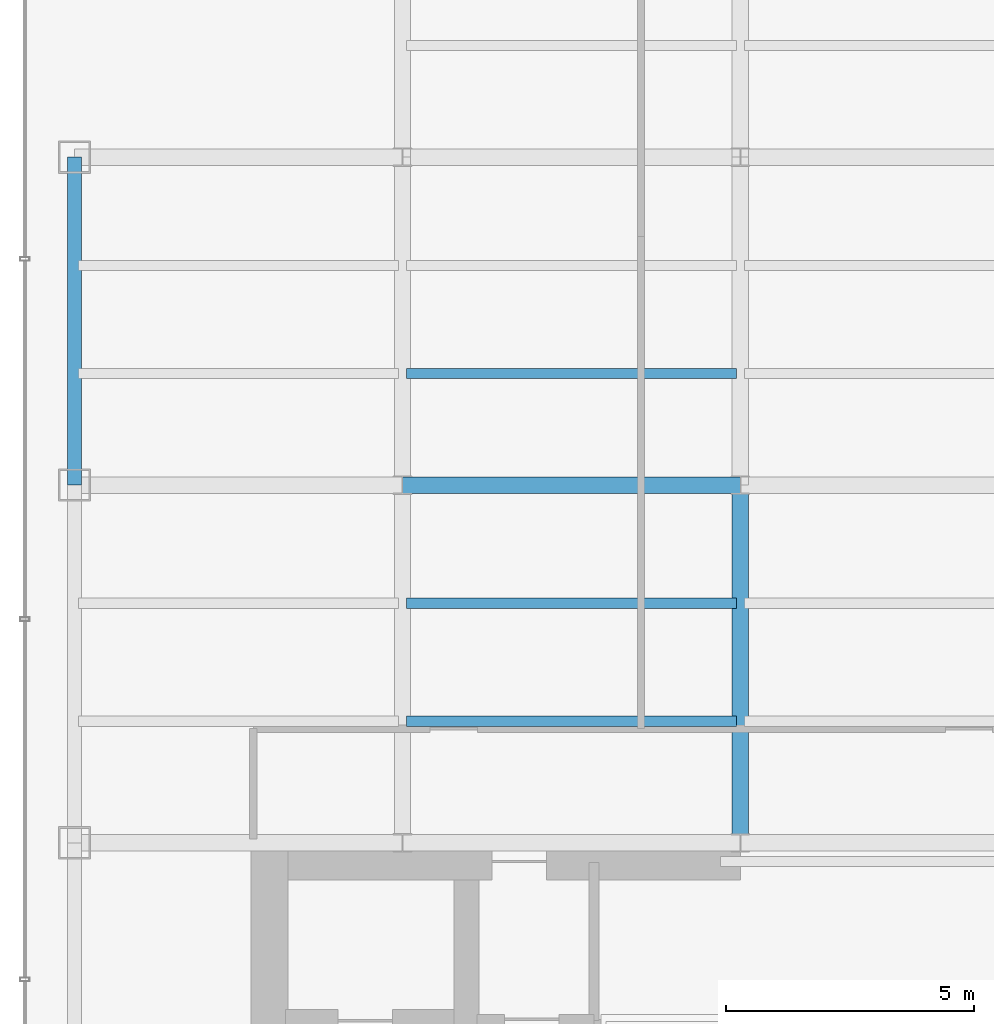
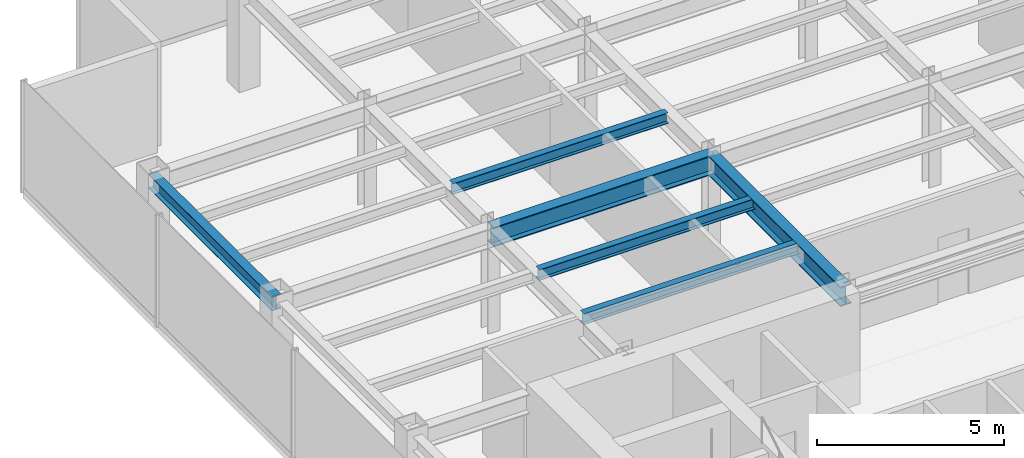
# One storey, part 6 of 25: 6 beams.
"""IFC4 building model written with IfcOpenShell, lengths in metres."""

from ifc_helpers import new_model, si_unit, derived_unit, direction, frame, origin, origin_2d, place, context, subcontext, project, spatial, i_section, extrude, source, transform, mapped, material, material_profile, profile_set, type_object, element, save


model = new_model("IFC4")

# Units and contexts
model_context = context("Model", 3, precision=1e-05, world=origin(), true_north=direction((0.0, 1.0)))
body_context = subcontext(model_context, "Body", "Model", "MODEL_VIEW")
ifc_project = project(units=[si_unit("LENGTHUNIT", "METRE"), si_unit("AREAUNIT", "SQUARE_METRE"), si_unit("VOLUMEUNIT", "CUBIC_METRE"), si_unit("PLANEANGLEUNIT", "RADIAN"), si_unit("MASSUNIT", "GRAM", prefix="KILO"), derived_unit("THERMALTRANSMITTANCEUNIT", [(si_unit("POWERUNIT", "WATT"), 1), (si_unit("LENGTHUNIT", "METRE"), -2), (si_unit("THERMODYNAMICTEMPERATUREUNIT", "KELVIN"), -1)])], contexts=[model_context])

# Site, building, storey
site_placement = place(None, origin())
site = spatial("IfcSite", under=ifc_project, at=site_placement, CompositionType="ELEMENT")
building_placement = place(site_placement, origin())
building = spatial("IfcBuilding", under=site, at=building_placement, Name="Skarnbrae Concourse Arena and Tower", CompositionType="ELEMENT")
storey_placement = place(building_placement, frame((0.0, 0.0, 151.550048828125)))
storey = spatial("IfcBuildingStorey", under=building, at=storey_placement, Name="L38", CompositionType="ELEMENT", Elevation=151.550048828125)

# Beams
ifc_material = material(Name="Steel CSA G40.21 350W", Category="steel")
ifc_material_profile_1 = material_profile(ifc_material, i_section(OverallWidth=0.3291015625, OverallDepth=0.635009765625, WebThickness=0.017822265625, FlangeThickness=0.031005859375, at=origin_2d()), Name="W610X241")
ifc_profile_set_1 = profile_set([ifc_material_profile_1], Name="Steel CSA G40.21 350W")
beam_type_1 = type_object("IfcBeamType", Name="BM-GIRD-W610X241", PredefinedType="BEAM", material=ifc_profile_set_1)
shared_shape_1 = source(origin(), body_context, "Body", "SweptSolid", [
    extrude(i_section(OverallWidth=0.3291015625, OverallDepth=0.635009765625, WebThickness=0.017822265625, FlangeThickness=0.031005859375, at=origin_2d()), origin(), (0.0, 0.0, 1.0), 6.7998046875),
])
beam_1_placement = place(storey_placement, frame((7.60009765625, 21.199951171875, 3.08251953125), z_axis=(1.0, 0.0, 0.0), x_axis=(0.0, 1.0, 0.0)))
element("IfcBeam", 1, at=beam_1_placement, inside=storey, type_object=beam_type_1, Name="L38 Primary E-W girder Y21.2-2", PredefinedType="BEAM", context=body_context, shape_type="MappedRepresentation", body=[
    mapped(shared_shape_1, transform((0.0, 0.0, 0.0))),
])
ifc_material_profile_2 = material_profile(ifc_material, i_section(OverallWidth=0.280029296875, OverallDepth=0.462890625, WebThickness=0.0107421875, FlangeThickness=0.017333984375, at=origin_2d()), Name="W460X113")
ifc_profile_set_2 = profile_set([ifc_material_profile_2], Name="Steel CSA G40.21 350W")
beam_type_2 = type_object("IfcBeamType", Name="BM-SPAN-W460X113", PredefinedType="SPANDREL", material=ifc_profile_set_2)
shared_shape_2 = source(origin(), body_context, "Body", "SweptSolid", [
    extrude(i_section(OverallWidth=0.280029296875, OverallDepth=0.462890625, WebThickness=0.0107421875, FlangeThickness=0.017333984375, at=origin_2d()), origin(), (0.0, 0.0, 1.0), 6.60009765625),
])
beam_2_placement = place(storey_placement, frame((1.0, 21.199951171875, 3.16845703125), z_axis=(0.0, 1.0, 0.0), x_axis=(-1.0, 0.0, 0.0)))
element("IfcBeam", 2, at=beam_2_placement, inside=storey, type_object=beam_type_2, Name="L38 Perimeter spandrel X1.0-3", PredefinedType="SPANDREL", context=body_context, shape_type="MappedRepresentation", body=[
    mapped(shared_shape_2, transform((0.0, 0.0, 0.0))),
])
shared_shape_3 = source(origin(), body_context, "Body", "SweptSolid", [
    extrude(i_section(OverallWidth=0.3291015625, OverallDepth=0.635009765625, WebThickness=0.017822265625, FlangeThickness=0.031005859375, at=origin_2d()), origin(), (0.0, 0.0, 1.0), 7.199951171875),
])
beam_3_placement = place(storey_placement, frame((14.39990234375, 14.0, 3.08251953125), z_axis=(0.0, 1.0, 0.0), x_axis=(-1.0, 0.0, 0.0)))
element("IfcBeam", 3, at=beam_3_placement, inside=storey, type_object=beam_type_1, Name="L38 Primary N-S girder X14.4-1", PredefinedType="BEAM", context=body_context, shape_type="MappedRepresentation", body=[
    mapped(shared_shape_3, transform((0.0, 0.0, 0.0))),
])
ifc_material_profile_3 = material_profile(ifc_material, i_section(OverallWidth=0.205078125, OverallDepth=0.35400390625, WebThickness=0.009521484375, FlangeThickness=0.016845703125, at=origin_2d()), Name="W360X79")
ifc_profile_set_3 = profile_set([ifc_material_profile_3], Name="Steel CSA G40.21 350W")
beam_type_3 = type_object("IfcBeamType", Name="BM-JOIST-W360X79", PredefinedType="JOIST", material=ifc_profile_set_3)
shared_shape_4 = source(origin(), body_context, "Body", "SweptSolid", [
    extrude(i_section(OverallWidth=0.205078125, OverallDepth=0.35400390625, WebThickness=0.009521484375, FlangeThickness=0.016845703125, at=origin_2d()), origin(), (0.0, 0.0, 1.0), 6.64013671875),
])
for number, where, z_axis, x_axis, name in (
    (4, (7.679931640625, 16.447998046875, 3.222900390625), (1.0, 0.0, 0.0), (0.0, 1.0, 0.0), "L38 Secondary floor joist 1.1.2"),
    (5, (7.679931640625, 18.823974609375, 3.222900390625), (1.0, 0.0, 0.0), (0.0, 1.0, 0.0), "L38 Secondary floor joist 1.2.2"),
    (6, (7.679931640625, 23.444091796875, 3.222900390625), (1.0, 0.0, 0.0), (0.0, 1.0, 0.0), "L38 Secondary floor joist 2.1.2"),
):
    element("IfcBeam", number, at=place(storey_placement, frame(where, z_axis=z_axis, x_axis=x_axis)), inside=storey, type_object=beam_type_3, Name=name, PredefinedType="JOIST", context=body_context, shape_type="MappedRepresentation", body=[
        mapped(shared_shape_4, transform((0.0, 0.0, 0.0))),
    ])

save(model, "model.ifc")
